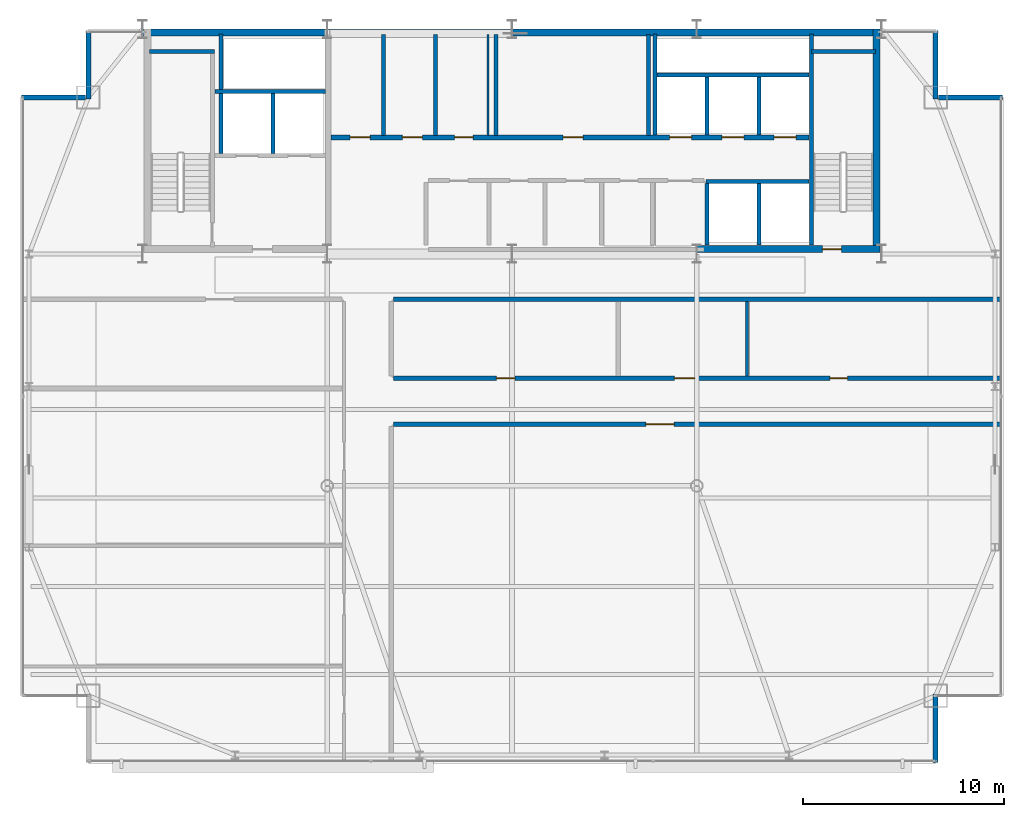
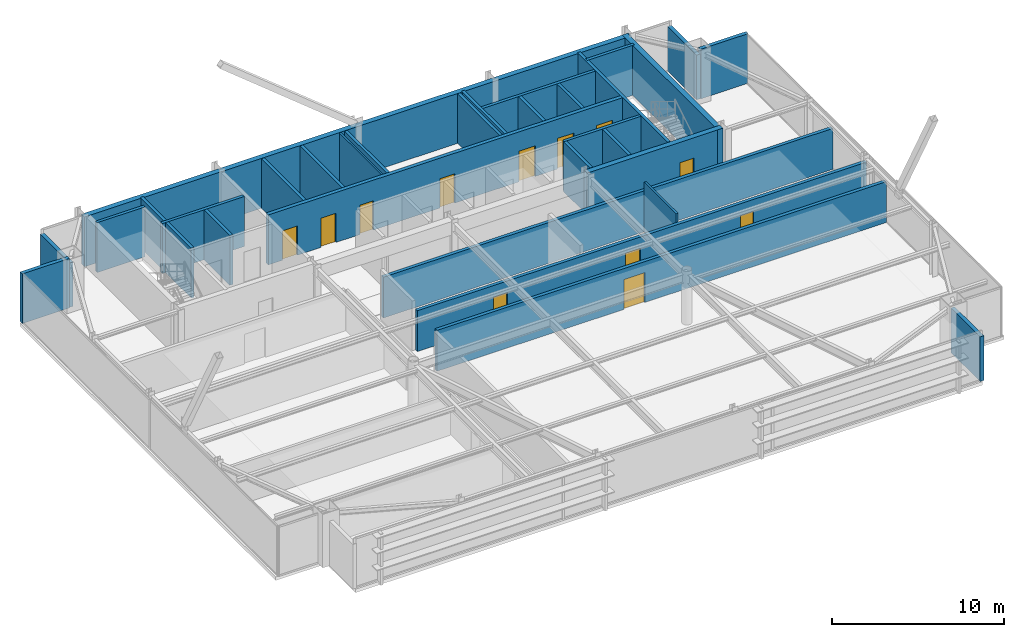
# One storey, part 24 of 26: 31 walls, 12 doors, 12 openings.
"""IFC4 building model written with IfcOpenShell, lengths in metres."""

from ifc_helpers import new_model, si_unit, direction, frame, frame_2d, origin, place, context, subcontext, project, spatial, rectangle, extrude, source, transform, mapped, material, layer, layer_set, type_object, type_shapes, element, fill, save


model = new_model("IFC4")

# Units and contexts
model_context = context("Model", 3, precision=1e-05, world=origin(), true_north=direction((0.0, 1.0)))
body_context = subcontext(model_context, "Body", "Model", "MODEL_VIEW")
ifc_project = project(units=[si_unit("LENGTHUNIT", "METRE"), si_unit("AREAUNIT", "SQUARE_METRE"), si_unit("VOLUMEUNIT", "CUBIC_METRE"), si_unit("PLANEANGLEUNIT", "RADIAN"), si_unit("MASSUNIT", "GRAM", prefix="KILO")], contexts=[model_context])

# Site, building, storey
site_placement = place(None, origin())
site = spatial("IfcSite", under=ifc_project, at=site_placement, CompositionType="ELEMENT")
building_placement = place(site_placement, origin())
building = spatial("IfcBuilding", under=site, at=building_placement, Name="Varnel Quay Broadcast Tower", CompositionType="ELEMENT")
storey_placement = place(building_placement, frame((0.0, 0.0, 218.800048828125)))
storey = spatial("IfcBuildingStorey", under=building, at=storey_placement, Name="L54", CompositionType="ELEMENT", Elevation=218.800048828125)

# Walls
ifc_material_1 = material(Name="Concrete CSA A23.3 C50/60", Category="concrete")
ifc_layer_1 = layer(ifc_material_1, 0.199951171875, Name="Concrete CSA A23.3 C50/60")
ifc_layer_set_1 = layer_set([ifc_layer_1], Name="Concrete CSA A23.3 C50/60")
wall_type_1 = type_object("IfcWallType", Name="Wall_CoreShaftShear200", PredefinedType="SHEAR", material=ifc_layer_set_1)
wall_1_placement = place(storey_placement, frame((15.949951171875, 45.679931640625, 0.0), z_axis=(0.0, 0.0, 1.0), x_axis=(1.0, 0.0, 0.0)))
element("IfcWall", 1, at=wall_1_placement, inside=storey, type_object=wall_type_1, Name="L54 Stair 1 North Structural Wall", PredefinedType="SHEAR", context=body_context, shape_type="SweptSolid", body=[
    extrude(rectangle(XDim=3.22998046875, YDim=0.199951171875, at=frame_2d((1.614990234375, 0.0))), origin(), (0.0, 0.0, 1.0), 3.550048828125),
])
wall_2_placement = place(storey_placement, frame((19.199951171875, 43.699951171875, 0.0), z_axis=(0.0, 0.0, 1.0), x_axis=(1.0, 0.0, 0.0)))
element("IfcWall", 2, at=wall_2_placement, inside=storey, type_object=wall_type_1, Name="L54 Firefighter Lift Shaft Rear Wall", PredefinedType="SHEAR", context=body_context, shape_type="SweptSolid", body=[
    extrude(rectangle(XDim=5.52001953125, YDim=0.199951171875, at=frame_2d((2.760009765625, 0.0))), origin(), (0.0, 0.0, 1.0), 3.550048828125),
])
wall_3_placement = place(storey_placement, frame((22.10009765625, 40.60009765625, 0.0), z_axis=(0.0, 0.0, 1.0), x_axis=(0.0, 1.0, 0.0)))
element("IfcWall", 3, at=wall_3_placement, inside=storey, type_object=wall_type_1, Name="L54 Firefighter Lift Shaft Divider", PredefinedType="SHEAR", context=body_context, shape_type="SweptSolid", body=[
    extrude(rectangle(XDim=3.0, YDim=0.199951171875, at=frame_2d((1.5, 0.0))), origin(), (0.0, 0.0, 1.0), 3.550048828125),
])
wall_4_placement = place(storey_placement, frame((19.5, 40.60009765625, 0.0), z_axis=(0.0, 0.0, 1.0), x_axis=(0.0, 1.0, 0.0)))
element("IfcWall", 4, at=wall_4_placement, inside=storey, type_object=wall_type_1, Name="L54 Firefighter Lift Shaft West Wall", PredefinedType="SHEAR", context=body_context, shape_type="SweptSolid", body=[
    extrude(rectangle(XDim=5.949951171875, YDim=0.199951171875, at=frame_2d((2.97509765625, 0.0))), origin(), (0.0, 0.0, 1.0), 3.550048828125),
])
wall_5_placement = place(storey_placement, frame((48.919921875, 36.050048828125, 0.0), z_axis=(0.0, 0.0, 1.0), x_axis=(0.0, 1.0, 0.0)))
element("IfcWall", 5, at=wall_5_placement, inside=storey, type_object=wall_type_1, Name="L54 Stair 2 West Structural Wall", PredefinedType="SHEAR", context=body_context, shape_type="SweptSolid", body=[
    extrude(rectangle(XDim=10.5, YDim=0.199951171875, at=frame_2d((5.25, 0.0))), origin(), (0.0, 0.0, 1.0), 3.550048828125),
])
wall_6_placement = place(storey_placement, frame((48.919921875, 45.679931640625, 0.0), z_axis=(0.0, 0.0, 1.0), x_axis=(1.0, 0.0, 0.0)))
element("IfcWall", 6, at=wall_6_placement, inside=storey, type_object=wall_type_1, Name="L54 Stair 2 North Structural Wall", PredefinedType="SHEAR", context=body_context, shape_type="SweptSolid", body=[
    extrude(rectangle(XDim=3.18017578125, YDim=0.199951171875, at=frame_2d((1.590087890625, 0.0))), origin(), (0.0, 0.0, 1.0), 3.550048828125),
])
wall_7_placement = place(storey_placement, frame((41.219970703125, 44.5, 0.0), z_axis=(0.0, 0.0, 1.0), x_axis=(1.0, 0.0, 0.0)))
element("IfcWall", 7, at=wall_7_placement, inside=storey, type_object=wall_type_1, Name="L54 High-Rise Lift Shaft Rear Wall", PredefinedType="SHEAR", context=body_context, shape_type="SweptSolid", body=[
    extrude(rectangle(XDim=7.580078125, YDim=0.199951171875, at=frame_2d((3.7900390625, 0.0))), origin(), (0.0, 0.0, 1.0), 3.550048828125),
])
wall_8_placement = place(storey_placement, frame((41.1201171875, 41.530029296875, 0.0), z_axis=(0.0, 0.0, 1.0), x_axis=(0.0, 1.0, 0.0)))
element("IfcWall", 8, at=wall_8_placement, inside=storey, type_object=wall_type_1, Name="L54 High-Rise Lift Shaft Divider 1", PredefinedType="SHEAR", context=body_context, shape_type="SweptSolid", body=[
    extrude(rectangle(XDim=5.02001953125, YDim=0.199951171875, at=frame_2d((2.510009765625, 0.0))), origin(), (0.0, 0.0, 1.0), 3.550048828125),
])
for number, where, z_axis, x_axis, name in (
    (9, (43.699951171875, 41.530029296875, 0.0), (0.0, 0.0, 1.0), (0.0, 1.0, 0.0), "L54 High-Rise Lift Shaft Divider 2"),
    (10, (46.300048828125, 41.530029296875, 0.0), (0.0, 0.0, 1.0), (0.0, 1.0, 0.0), "L54 High-Rise Lift Shaft Divider 3"),
):
    element("IfcWall", number, at=place(storey_placement, frame(where, z_axis=z_axis, x_axis=x_axis)), inside=storey, type_object=wall_type_1, Name=name, PredefinedType="SHEAR", context=body_context, shape_type="SweptSolid", body=[
        extrude(rectangle(XDim=2.869873046875, YDim=0.199951171875, at=frame_2d((1.43505859375, 0.0))), origin(), (0.0, 0.0, 1.0), 3.550048828125),
    ])
for number, where, z_axis, x_axis, name in (
    (11, (43.699951171875, 36.050048828125, 0.0), (0.0, 0.0, 1.0), (0.0, 1.0, 0.0), "L54 Express Lift Shaft West Wall"),
    (12, (46.300048828125, 36.050048828125, 0.0), (0.0, 0.0, 1.0), (0.0, 1.0, 0.0), "L54 Express Lift Shaft Divider"),
):
    element("IfcWall", number, at=place(storey_placement, frame(where, z_axis=z_axis, x_axis=x_axis)), inside=storey, type_object=wall_type_1, Name=name, PredefinedType="SHEAR", context=body_context, shape_type="SweptSolid", body=[
        extrude(rectangle(XDim=3.050048828125, YDim=0.199951171875, at=frame_2d((1.52490234375, 0.0))), origin(), (0.0, 0.0, 1.0), 3.550048828125),
    ])
wall_9_placement = place(storey_placement, frame((43.64990234375, 39.199951171875, 0.0), z_axis=(0.0, 0.0, 1.0), x_axis=(1.0, 0.0, 0.0)))
element("IfcWall", 13, at=wall_9_placement, inside=storey, type_object=wall_type_1, Name="L54 Express Lift Shaft North Front Wall", PredefinedType="SHEAR", context=body_context, shape_type="SweptSolid", body=[
    extrude(rectangle(XDim=5.150146484375, YDim=0.199951171875, at=frame_2d((2.5751953125, 0.0))), origin(), (0.0, 0.0, 1.0), 3.550048828125),
])

# Wall, openings, doors
ifc_layer_2 = layer(ifc_material_1, 0.25, Name="Concrete CSA A23.3 C50/60")
ifc_layer_set_2 = layer_set([ifc_layer_2], Name="Concrete CSA A23.3 C50/60")
wall_type_2 = type_object("IfcWallType", Name="Wall_CoreShaftShear250", PredefinedType="SHEAR", material=ifc_layer_set_2)
wall_10_placement = place(storey_placement, frame((24.97998046875, 41.39990234375, 0.0), z_axis=(0.0, 0.0, 1.0), x_axis=(1.0, 0.0, 0.0)))
wall_10 = element("IfcWall", 14, at=wall_10_placement, inside=storey, type_object=wall_type_2, Name="L54 North Lift Bank & Reclaimed Suite Wall", PredefinedType="SHEAR", context=body_context, shape_type="SweptSolid", body=[
    extrude(rectangle(XDim=23.820068359375, YDim=0.25, at=frame_2d((11.91015625, 0.0))), origin(), (0.0, 0.0, 1.0), 3.550048828125),
])
opening_1_placement = place(wall_10_placement, frame((16.8701171875, 0.0, 0.0)))
opening_1 = element("IfcOpeningElement", 15, at=opening_1_placement, cuts=wall_10, Name="Opening LD-L54-PH-01", PredefinedType="OPENING", context=body_context, shape_type="SweptSolid", body=[
    extrude(rectangle(XDim=1.10009765625, YDim=2.179931640625, at=frame_2d((0.550048828125, 1.08984375))), frame((0.0, 0.135009765625, 0.0), z_axis=(0.0, -1.0, 0.0), x_axis=(1.0, 0.0, 0.0)), (0.0, 0.0, 1.0), 0.27001953125),
])
opening_2_placement = place(wall_10_placement, frame((19.469970703125, 0.0, 0.0)))
opening_2 = element("IfcOpeningElement", 16, at=opening_2_placement, cuts=wall_10, Name="Opening LD-L54-PH-02", PredefinedType="OPENING", context=body_context, shape_type="SweptSolid", body=[
    extrude(rectangle(XDim=1.10009765625, YDim=2.179931640625, at=frame_2d((0.550048828125, 1.08984375))), frame((0.0, 0.135009765625, 0.0), z_axis=(0.0, -1.0, 0.0), x_axis=(1.0, 0.0, 0.0)), (0.0, 0.0, 1.0), 0.27001953125),
])
opening_3_placement = place(wall_10_placement, frame((22.070068359375, 0.0, 0.0)))
opening_3 = element("IfcOpeningElement", 17, at=opening_3_placement, cuts=wall_10, Name="Opening LD-L54-PH-03", PredefinedType="OPENING", context=body_context, shape_type="SweptSolid", body=[
    extrude(rectangle(XDim=1.10009765625, YDim=2.179931640625, at=frame_2d((0.550048828125, 1.08984375))), frame((0.0, 0.135009765625, 0.0), z_axis=(0.0, -1.0, 0.0), x_axis=(1.0, 0.0, 0.0)), (0.0, 0.0, 1.0), 0.27001953125),
])
opening_4_placement = place(wall_10_placement, frame((0.9599609375, 0.0, 0.0)))
opening_4 = element("IfcOpeningElement", 18, at=opening_4_placement, cuts=wall_10, Name="Opening D-L54-RECA1", PredefinedType="OPENING", context=body_context, shape_type="SweptSolid", body=[
    extrude(rectangle(XDim=1.0, YDim=2.080078125, at=frame_2d((0.5, 1.0400390625))), frame((0.0, 0.135009765625, 0.0), z_axis=(0.0, -1.0, 0.0), x_axis=(1.0, 0.0, 0.0)), (0.0, 0.0, 1.0), 0.27001953125),
])
opening_5_placement = place(wall_10_placement, frame((3.56005859375, 0.0, 0.0)))
opening_5 = element("IfcOpeningElement", 19, at=opening_5_placement, cuts=wall_10, Name="Opening D-L54-RECA2", PredefinedType="OPENING", context=body_context, shape_type="SweptSolid", body=[
    extrude(rectangle(XDim=1.0, YDim=2.080078125, at=frame_2d((0.5, 1.0400390625))), frame((0.0, 0.135009765625, 0.0), z_axis=(0.0, -1.0, 0.0), x_axis=(1.0, 0.0, 0.0)), (0.0, 0.0, 1.0), 0.27001953125),
])
opening_6_placement = place(wall_10_placement, frame((6.159912109375, 0.0, 0.0)))
opening_6 = element("IfcOpeningElement", 20, at=opening_6_placement, cuts=wall_10, Name="Opening D-L54-RECA3", PredefinedType="OPENING", context=body_context, shape_type="SweptSolid", body=[
    extrude(rectangle(XDim=0.919921875, YDim=2.080078125, at=frame_2d((0.4599609375, 1.0400390625))), frame((0.0, 0.135009765625, 0.0), z_axis=(0.0, -1.0, 0.0), x_axis=(1.0, 0.0, 0.0)), (0.0, 0.0, 1.0), 0.27001953125),
])
opening_7_placement = place(wall_10_placement, frame((11.56005859375, 0.0, 0.0)))
opening_7 = element("IfcOpeningElement", 21, at=opening_7_placement, cuts=wall_10, Name="Opening D-L54-RECB1", PredefinedType="OPENING", context=body_context, shape_type="SweptSolid", body=[
    extrude(rectangle(XDim=1.0, YDim=2.080078125, at=frame_2d((0.5, 1.0400390625))), frame((0.0, 0.135009765625, 0.0), z_axis=(0.0, -1.0, 0.0), x_axis=(1.0, 0.0, 0.0)), (0.0, 0.0, 1.0), 0.27001953125),
])
ifc_material_2 = material(Name="Brushed Bronze-Stainless Lift Car & Sliding Doors", Category="steel")
door_type_1 = type_object("IfcDoorType", Name="Door_LiftLanding1100", OperationType="SLIDING_TO_LEFT", PredefinedType="DOOR", material=ifc_material_2)
shared_shape_1 = source(origin(), body_context, "Body", "SweptSolid", [
    extrude(rectangle(XDim=1.10009765625, YDim=2.179931640625, at=frame_2d((0.550048828125, 1.08984375))), frame((0.0, 0.02490234375, 0.0), z_axis=(0.0, -1.0, 0.0), x_axis=(1.0, 0.0, 0.0)), (0.0, 0.0, 1.0), 0.050048828125),
])
type_shapes(door_type_1, [shared_shape_1])
door_1_placement = place(opening_1_placement, frame((1.10009765625, 0.0, 0.0), z_axis=(0.0, 0.0, 1.0), x_axis=(-1.0, 0.0, 0.0)))
door_1 = element("IfcDoor", 22, at=door_1_placement, inside=storey, type_object=door_type_1, Name="L54 Lift PH-01 Landing Door", OperationType="SLIDING_TO_LEFT", OverallHeight=2.179931640625, OverallWidth=1.10009765625, PredefinedType="DOOR", context=body_context, shape_type="MappedRepresentation", body=[
    mapped(shared_shape_1, transform((0.0, 0.0, 0.0), x_axis=(1.0, 0.0, 0.0), y_axis=(0.0, 1.0, 0.0), z_axis=(0.0, 0.0, 1.0), scale=1.0)),
])
fill(opening_1, door_1)
door_2_placement = place(opening_2_placement, frame((1.10009765625, 0.0, 0.0), z_axis=(0.0, 0.0, 1.0), x_axis=(-1.0, 0.0, 0.0)))
door_2 = element("IfcDoor", 23, at=door_2_placement, inside=storey, type_object=door_type_1, Name="L54 Lift PH-02 Landing Door", OperationType="SLIDING_TO_LEFT", OverallHeight=2.179931640625, OverallWidth=1.10009765625, PredefinedType="DOOR", context=body_context, shape_type="MappedRepresentation", body=[
    mapped(shared_shape_1, transform((0.0, 0.0, 0.0), x_axis=(1.0, 0.0, 0.0), y_axis=(0.0, 1.0, 0.0), z_axis=(0.0, 0.0, 1.0), scale=1.0)),
])
fill(opening_2, door_2)
door_3_placement = place(opening_3_placement, frame((1.10009765625, 0.0, 0.0), z_axis=(0.0, 0.0, 1.0), x_axis=(-1.0, 0.0, 0.0)))
door_3 = element("IfcDoor", 24, at=door_3_placement, inside=storey, type_object=door_type_1, Name="L54 Lift PH-03 Landing Door", OperationType="SLIDING_TO_LEFT", OverallHeight=2.179931640625, OverallWidth=1.10009765625, PredefinedType="DOOR", context=body_context, shape_type="MappedRepresentation", body=[
    mapped(shared_shape_1, transform((0.0, 0.0, 0.0), x_axis=(1.0, 0.0, 0.0), y_axis=(0.0, 1.0, 0.0), z_axis=(0.0, 0.0, 1.0), scale=1.0)),
])
fill(opening_3, door_3)
ifc_material_3 = material(Name="Insulated Fire-Rated Hollow Steel Door", Category="steel")
door_type_2 = type_object("IfcDoorType", Name="Door_FireLobby1000", OperationType="NOTDEFINED", PredefinedType="DOOR", material=ifc_material_3)
shared_shape_2 = source(origin(), body_context, "Body", "SweptSolid", [
    extrude(rectangle(XDim=1.0, YDim=2.080078125, at=frame_2d((0.5, 1.0400390625))), frame((0.0, 0.02490234375, 0.0), z_axis=(0.0, -1.0, 0.0), x_axis=(1.0, 0.0, 0.0)), (0.0, 0.0, 1.0), 0.050048828125),
])
type_shapes(door_type_2, [shared_shape_2])
door_4_placement = place(opening_4_placement, origin())
door_4 = element("IfcDoor", 25, at=door_4_placement, inside=storey, type_object=door_type_2, Name="L54 Ingest Rack Bay A Door", OperationType="SINGLE_SWING_LEFT", OverallHeight=2.080078125, OverallWidth=1.0, PredefinedType="DOOR", context=body_context, shape_type="MappedRepresentation", body=[
    mapped(shared_shape_2, transform((0.0, 0.0, 0.0), x_axis=(1.0, 0.0, 0.0), y_axis=(0.0, 1.0, 0.0), z_axis=(0.0, 0.0, 1.0), scale=1.0)),
])
fill(opening_4, door_4)
door_5_placement = place(opening_5_placement, origin())
door_5 = element("IfcDoor", 26, at=door_5_placement, inside=storey, type_object=door_type_2, Name="L54 Fiber Patch Bay Door", OperationType="SINGLE_SWING_RIGHT", OverallHeight=2.080078125, OverallWidth=1.0, PredefinedType="DOOR", context=body_context, shape_type="MappedRepresentation", body=[
    mapped(shared_shape_2, transform((0.0, 0.0, 0.0), x_axis=(1.0, 0.0, 0.0), y_axis=(0.0, 1.0, 0.0), z_axis=(0.0, 0.0, 1.0), scale=1.0)),
])
fill(opening_5, door_5)
door_6_placement = place(opening_7_placement, origin())
door_6 = element("IfcDoor", 27, at=door_6_placement, inside=storey, type_object=door_type_2, Name="L54 High-Zone Broadcast Rack Hall Door", OperationType="SINGLE_SWING_RIGHT", OverallHeight=2.080078125, OverallWidth=1.0, PredefinedType="DOOR", context=body_context, shape_type="MappedRepresentation", body=[
    mapped(shared_shape_2, transform((0.0, 0.0, 0.0), x_axis=(1.0, 0.0, 0.0), y_axis=(0.0, 1.0, 0.0), z_axis=(0.0, 0.0, 1.0), scale=1.0)),
])
fill(opening_7, door_6)
ifc_material_4 = material(Name="Solid-Core Fire-Rated Acoustic Oak Veneer Door", Category="wood")
door_type_3 = type_object("IfcDoorType", Name="Door_Office920", OperationType="NOTDEFINED", PredefinedType="DOOR", material=ifc_material_4)
shared_shape_3 = source(origin(), body_context, "Body", "SweptSolid", [
    extrude(rectangle(XDim=0.919921875, YDim=2.080078125, at=frame_2d((0.4599609375, 1.0400390625))), frame((0.0, 0.02490234375, 0.0), z_axis=(0.0, -1.0, 0.0), x_axis=(1.0, 0.0, 0.0)), (0.0, 0.0, 1.0), 0.050048828125),
])
type_shapes(door_type_3, [shared_shape_3])
door_7_placement = place(opening_6_placement, origin())
door_7 = element("IfcDoor", 28, at=door_7_placement, inside=storey, type_object=door_type_3, Name="L54 Telemetry Store Door", OperationType="SINGLE_SWING_LEFT", OverallHeight=2.080078125, OverallWidth=0.919921875, PredefinedType="DOOR", context=body_context, shape_type="MappedRepresentation", body=[
    mapped(shared_shape_3, transform((0.0, 0.0, 0.0), x_axis=(1.0, 0.0, 0.0), y_axis=(0.0, 1.0, 0.0), z_axis=(0.0, 0.0, 1.0), scale=1.0)),
])
fill(opening_6, door_7)

# Walls
ifc_layer_3 = layer(ifc_material_1, 0.35009765625, Name="Concrete CSA A23.3 C50/60")
ifc_layer_set_3 = layer_set([ifc_layer_3], Name="Concrete CSA A23.3 C50/60")
wall_type_3 = type_object("IfcWallType", Name="Wall_CoreShearExt350", PredefinedType="SHEAR", material=ifc_layer_set_3)
wall_11_placement = place(storey_placement, frame((15.60009765625, 46.625, 0.0), z_axis=(0.0, 0.0, 1.0), x_axis=(1.0, 0.0, 0.0)))
element("IfcWall", 29, at=wall_11_placement, inside=storey, type_object=wall_type_3, Name="L54 North Core Shear Wall", PredefinedType="SHEAR", context=body_context, shape_type="SweptSolid", body=[
    extrude(rectangle(XDim=36.7998046875, YDim=0.35009765625, at=frame_2d((18.39990234375, 0.0))), origin(), (0.0, 0.0, 1.0), 3.550048828125),
])
ifc_layer_4 = layer(ifc_material_1, 0.35009765625, Name="Concrete CSA A23.3 C50/60")
ifc_layer_set_4 = layer_set([ifc_layer_4], Name="Concrete CSA A23.3 C50/60")
wall_type_4 = type_object("IfcWallType", Name="Wall_CoreShearInt350", PredefinedType="SHEAR", material=ifc_layer_set_4)
wall_12_placement = place(storey_placement, frame((52.155029296875, 35.669921875, 0.0), z_axis=(0.0, 0.0, 1.0), x_axis=(0.0, 1.0, 0.0)))
element("IfcWall", 30, at=wall_12_placement, inside=storey, type_object=wall_type_4, Name="L54 East Core Shear Wall", PredefinedType="SHEAR", context=body_context, shape_type="SweptSolid", body=[
    extrude(rectangle(XDim=11.130126953125, YDim=0.35009765625, at=frame_2d((5.56494140625, 0.0))), origin(), (0.0, 0.0, 1.0), 3.550048828125),
])

# Wall, opening, door
wall_13_placement = place(storey_placement, frame((43.199951171875, 35.844970703125, 0.0), z_axis=(0.0, 0.0, 1.0), x_axis=(1.0, 0.0, 0.0)))
wall_13 = element("IfcWall", 31, at=wall_13_placement, inside=storey, type_object=wall_type_4, Name="L54 South-East Core Shear Wall", PredefinedType="SHEAR", context=body_context, shape_type="SweptSolid", body=[
    extrude(rectangle(XDim=9.130126953125, YDim=0.35009765625, at=frame_2d((4.56494140625, 0.0))), origin(), (0.0, 0.0, 1.0), 3.550048828125),
])
opening_8_placement = place(wall_13_placement, frame((6.25, 0.0, 0.0)))
opening_8 = element("IfcOpeningElement", 32, at=opening_8_placement, cuts=wall_13, Name="Opening D-L54-S2", PredefinedType="OPENING", context=body_context, shape_type="SweptSolid", body=[
    extrude(rectangle(XDim=0.949951171875, YDim=2.10009765625, at=frame_2d((0.47509765625, 1.050048828125))), frame((0.0, 0.18505859375, 0.0), z_axis=(0.0, -1.0, 0.0), x_axis=(1.0, 0.0, 0.0)), (0.0, 0.0, 1.0), 0.3701171875),
])
door_type_4 = type_object("IfcDoorType", Name="Door_FireStair950", OperationType="NOTDEFINED", PredefinedType="DOOR", material=ifc_material_3)
shared_shape_4 = source(origin(), body_context, "Body", "SweptSolid", [
    extrude(rectangle(XDim=0.949951171875, YDim=2.10009765625, at=frame_2d((0.47509765625, 1.050048828125))), frame((0.0, 0.02490234375, 0.0), z_axis=(0.0, -1.0, 0.0), x_axis=(1.0, 0.0, 0.0)), (0.0, 0.0, 1.0), 0.050048828125),
])
type_shapes(door_type_4, [shared_shape_4])
door_8_placement = place(opening_8_placement, origin())
door_8 = element("IfcDoor", 33, at=door_8_placement, inside=storey, type_object=door_type_4, Name="L54 Stair 2 Fire Door", OperationType="SINGLE_SWING_RIGHT", OverallHeight=2.10009765625, OverallWidth=0.949951171875, PredefinedType="DOOR", context=body_context, shape_type="MappedRepresentation", body=[
    mapped(shared_shape_4, transform((0.0, 0.0, 0.0), x_axis=(1.0, 0.0, 0.0), y_axis=(0.0, 1.0, 0.0), z_axis=(0.0, 0.0, 1.0), scale=1.0)),
])
fill(opening_8, door_8)

# Walls
ifc_material_5 = material(Name="Precast Architectural Concrete C40/50", Category="concrete")
ifc_layer_5 = layer(ifc_material_5, 0.25, Name="Precast Architectural Concrete C40/50")
ifc_layer_set_5 = layer_set([ifc_layer_5], Name="Precast Architectural Concrete C40/50")
wall_type_5 = type_object("IfcWallType", Name="Wall_ExtTerrace250", PredefinedType="SOLIDWALL", material=ifc_layer_set_5)
wall_14_placement = place(storey_placement, frame((55.10009765625, 10.280029296875, 0.0), z_axis=(0.0, 0.0, 1.0), x_axis=(0.0, 1.0, 0.0)))
element("IfcWall", 34, at=wall_14_placement, inside=storey, type_object=wall_type_5, Name="L54 Mega-Column Notch Cladding Wall NSE2", PredefinedType="SOLIDWALL", context=body_context, shape_type="SweptSolid", body=[
    extrude(rectangle(XDim=3.39990234375, YDim=0.25, at=frame_2d((1.699951171875, 0.0))), origin(), (0.0, 0.0, 1.0), 3.1708984375),
])
wall_15_placement = place(storey_placement, frame((9.580078125, 43.39990234375, 0.0), z_axis=(0.0, 0.0, 1.0), x_axis=(1.0, 0.0, 0.0)))
element("IfcWall", 35, at=wall_15_placement, inside=storey, type_object=wall_type_5, Name="L54 Mega-Column Notch Cladding Wall NNW1", PredefinedType="SOLIDWALL", context=body_context, shape_type="SweptSolid", body=[
    extrude(rectangle(XDim=3.18994140625, YDim=0.25, at=frame_2d((1.594970703125, 0.0))), origin(), (0.0, 0.0, 1.0), 3.530029296875),
])
wall_16_placement = place(storey_placement, frame((12.89990234375, 43.320068359375, 0.0), z_axis=(0.0, 0.0, 1.0), x_axis=(0.0, 1.0, 0.0)))
element("IfcWall", 36, at=wall_16_placement, inside=storey, type_object=wall_type_5, Name="L54 Mega-Column Notch Cladding Wall NNW2", PredefinedType="SOLIDWALL", context=body_context, shape_type="SweptSolid", body=[
    extrude(rectangle(XDim=3.39990234375, YDim=0.25, at=frame_2d((1.699951171875, 0.0))), origin(), (0.0, 0.0, 1.0), 3.1708984375),
])
wall_17_placement = place(storey_placement, frame((55.22998046875, 43.39990234375, 0.0), z_axis=(0.0, 0.0, 1.0), x_axis=(1.0, 0.0, 0.0)))
element("IfcWall", 37, at=wall_17_placement, inside=storey, type_object=wall_type_5, Name="L54 Mega-Column Notch Cladding Wall NNE1", PredefinedType="SOLIDWALL", context=body_context, shape_type="SweptSolid", body=[
    extrude(rectangle(XDim=3.18994140625, YDim=0.25, at=frame_2d((1.594970703125, 0.0))), origin(), (0.0, 0.0, 1.0), 3.530029296875),
])
wall_18_placement = place(storey_placement, frame((55.10009765625, 43.320068359375, 0.0), z_axis=(0.0, 0.0, 1.0), x_axis=(0.0, 1.0, 0.0)))
element("IfcWall", 38, at=wall_18_placement, inside=storey, type_object=wall_type_5, Name="L54 Mega-Column Notch Cladding Wall NNE2", PredefinedType="SOLIDWALL", context=body_context, shape_type="SweptSolid", body=[
    extrude(rectangle(XDim=3.39990234375, YDim=0.25, at=frame_2d((1.699951171875, 0.0))), origin(), (0.0, 0.0, 1.0), 3.1708984375),
])
ifc_material_6 = material(Name="Concrete Blockwork Fire Enclosure C40/50", Category="masonry")
ifc_layer_6 = layer(ifc_material_6, 0.199951171875, Name="Concrete Blockwork Fire Enclosure C40/50")
ifc_layer_set_6 = layer_set([ifc_layer_6], Name="Concrete Blockwork Fire Enclosure C40/50")
wall_type_6 = type_object("IfcWallType", Name="Wall_FireShaft200", PredefinedType="SOLIDWALL", material=ifc_layer_set_6)
for number, where, z_axis, x_axis, name in (
    (39, (27.60009765625, 41.5, 0.0), (0.0, 0.0, 1.0), (0.0, 1.0, 0.0), "L54 Ingest Rack Bay A Partition 20"),
    (40, (30.199951171875, 41.5, 0.0), (0.0, 0.0, 1.0), (0.0, 1.0, 0.0), "L54 Fiber Patch Bay Partition 21"),
    (41, (40.800048828125, 41.5, 0.0), (0.0, 0.0, 1.0), (0.0, 1.0, 0.0), "L54 High-Zone Broadcast Rack Hall Partition 23"),
    (42, (33.199951171875, 41.5, 0.0), (0.0, 0.0, 1.0), (0.0, 1.0, 0.0), "L54 High-Zone Broadcast Rack Hall Partition 24"),
):
    element("IfcWall", number, at=place(storey_placement, frame(where, z_axis=z_axis, x_axis=x_axis)), inside=storey, type_object=wall_type_6, Name=name, PredefinedType="SOLIDWALL", context=body_context, shape_type="SweptSolid", body=[
        extrude(rectangle(XDim=5.02001953125, YDim=0.199951171875, at=frame_2d((2.510009765625, 0.0))), origin(), (0.0, 0.0, 1.0), 3.530029296875),
    ])
ifc_material_7 = material(Name="Steel-Stud Fire-Rated Acoustic Gypsum Partition Assembly", Category="steel")
ifc_layer_7 = layer(ifc_material_7, 0.10498046875, Name="Steel-Stud Fire-Rated Acoustic Gypsum Partition Assembly")
ifc_layer_set_7 = layer_set([ifc_layer_7], Name="Steel-Stud Fire-Rated Acoustic Gypsum Partition Assembly")
wall_type_7 = type_object("IfcWallType", Name="Wall_Partition105", PredefinedType="PARTITIONING", material=ifc_layer_set_7)
wall_19_placement = place(storey_placement, frame((32.800048828125, 41.5, 0.0), z_axis=(0.0, 0.0, 1.0), x_axis=(0.0, 1.0, 0.0)))
element("IfcWall", 43, at=wall_19_placement, inside=storey, type_object=wall_type_7, Name="L54 Telemetry Store Partition 22", PredefinedType="PARTITIONING", context=body_context, shape_type="SweptSolid", body=[
    extrude(rectangle(XDim=5.02001953125, YDim=0.10498046875, at=frame_2d((2.510009765625, 0.0))), origin(), (0.0, 0.0, 1.0), 3.530029296875),
])
ifc_layer_8 = layer(ifc_material_7, 0.139892578125, Name="Steel-Stud Fire-Rated Acoustic Gypsum Partition Assembly")
ifc_layer_set_8 = layer_set([ifc_layer_8], Name="Steel-Stud Fire-Rated Acoustic Gypsum Partition Assembly")
wall_type_8 = type_object("IfcWallType", Name="Wall_Partition140", PredefinedType="PARTITIONING", material=ifc_layer_set_8)
wall_20_placement = place(storey_placement, frame((45.699951171875, 29.52294921875, 0.0), z_axis=(0.0, 0.0, 1.0), x_axis=(0.0, 1.0, 0.0)))
element("IfcWall", 44, at=wall_20_placement, inside=storey, type_object=wall_type_8, Name="L54 Talent Lounge 7 Partition 19", PredefinedType="PARTITIONING", context=body_context, shape_type="SweptSolid", body=[
    extrude(rectangle(XDim=3.715087890625, YDim=0.139892578125, at=frame_2d((1.857421875, 0.0))), origin(), (0.0, 0.0, 1.0), 3.530029296875),
])

# Wall, opening, door
ifc_layer_9 = layer(ifc_material_7, 0.22509765625, Name="Steel-Stud Fire-Rated Acoustic Gypsum Partition Assembly")
ifc_layer_set_9 = layer_set([ifc_layer_9], Name="Steel-Stud Fire-Rated Acoustic Gypsum Partition Assembly")
wall_type_9 = type_object("IfcWallType", Name="Wall_Partition225", PredefinedType="PARTITIONING", material=ifc_layer_set_9)
wall_21_placement = place(storey_placement, frame((28.090087890625, 27.110107421875, 0.0), z_axis=(0.0, 0.0, 1.0), x_axis=(1.0, 0.0, 0.0)))
wall_21 = element("IfcWall", 45, at=wall_21_placement, inside=storey, type_object=wall_type_9, Name="L54 Voice Booth 5 Partition 13", PredefinedType="PARTITIONING", context=body_context, shape_type="SweptSolid", body=[
    extrude(rectangle(XDim=30.22998046875, YDim=0.22509765625, at=frame_2d((15.114990234375, 0.0))), origin(), (0.0, 0.0, 1.0), 2.907958984375),
])
opening_9_placement = place(wall_21_placement, frame((12.580078125, 0.0, 0.0)))
opening_9 = element("IfcOpeningElement", 46, at=opening_9_placement, cuts=wall_21, Name="Opening D-L54-10", PredefinedType="OPENING", context=body_context, shape_type="SweptSolid", body=[
    extrude(rectangle(XDim=1.39990234375, YDim=2.1201171875, at=frame_2d((0.699951171875, 1.06005859375))), frame((0.0, 0.12255859375, 0.0), z_axis=(0.0, -1.0, 0.0), x_axis=(1.0, 0.0, 0.0)), (0.0, 0.0, 1.0), 0.2451171875),
])
door_type_5 = type_object("IfcDoorType", Name="Door_Gallery1400", OperationType="DOUBLE_DOOR_SINGLE_SWING", PredefinedType="DOOR", material=ifc_material_4)
shared_shape_5 = source(origin(), body_context, "Body", "SweptSolid", [
    extrude(rectangle(XDim=1.39990234375, YDim=2.1201171875, at=frame_2d((0.699951171875, 1.06005859375))), frame((0.0, 0.02490234375, 0.0), z_axis=(0.0, -1.0, 0.0), x_axis=(1.0, 0.0, 0.0)), (0.0, 0.0, 1.0), 0.050048828125),
])
type_shapes(door_type_5, [shared_shape_5])
door_9_placement = place(opening_9_placement, frame((1.39990234375, 0.0, 0.0), z_axis=(0.0, 0.0, 1.0), x_axis=(-1.0, 0.0, 0.0)))
door_9 = element("IfcDoor", 47, at=door_9_placement, inside=storey, type_object=door_type_5, Name="L54 Voice Booth 5 Door D-L54-10", OperationType="DOUBLE_DOOR_SINGLE_SWING", OverallHeight=2.1201171875, OverallWidth=1.39990234375, PredefinedType="DOOR", context=body_context, shape_type="MappedRepresentation", body=[
    mapped(shared_shape_5, transform((0.0, 0.0, 0.0), x_axis=(1.0, 0.0, 0.0), y_axis=(0.0, 1.0, 0.0), z_axis=(0.0, 0.0, 1.0), scale=1.0)),
])
fill(opening_9, door_9)

# Wall, openings, doors
wall_22_placement = place(storey_placement, frame((28.090087890625, 29.409912109375, 0.0), z_axis=(0.0, 0.0, 1.0), x_axis=(1.0, 0.0, 0.0)))
wall_22 = element("IfcWall", 48, at=wall_22_placement, inside=storey, type_object=wall_type_9, Name="L54 Audio Control Room 6 Partition 15", PredefinedType="PARTITIONING", context=body_context, shape_type="SweptSolid", body=[
    extrude(rectangle(XDim=30.22998046875, YDim=0.22509765625, at=frame_2d((15.114990234375, 0.0))), origin(), (0.0, 0.0, 1.0), 2.907958984375),
])
opening_10_placement = place(wall_22_placement, frame((5.135009765625, 0.0, 0.0)))
opening_10 = element("IfcOpeningElement", 49, at=opening_10_placement, cuts=wall_22, Name="Opening D-L54-11", PredefinedType="OPENING", context=body_context, shape_type="SweptSolid", body=[
    extrude(rectangle(XDim=0.919921875, YDim=2.080078125, at=frame_2d((0.4599609375, 1.0400390625))), frame((0.0, 0.12255859375, 0.0), z_axis=(0.0, -1.0, 0.0), x_axis=(1.0, 0.0, 0.0)), (0.0, 0.0, 1.0), 0.2451171875),
])
opening_11_placement = place(wall_22_placement, frame((14.0, 0.0, 0.0)))
opening_11 = element("IfcOpeningElement", 50, at=opening_11_placement, cuts=wall_22, Name="Opening D-L54-12", PredefinedType="OPENING", context=body_context, shape_type="SweptSolid", body=[
    extrude(rectangle(XDim=1.0, YDim=2.10009765625, at=frame_2d((0.5, 1.050048828125))), frame((0.0, 0.12255859375, 0.0), z_axis=(0.0, -1.0, 0.0), x_axis=(1.0, 0.0, 0.0)), (0.0, 0.0, 1.0), 0.2451171875),
])
opening_12_placement = place(wall_22_placement, frame((21.7451171875, 0.0, 0.0)))
opening_12 = element("IfcOpeningElement", 51, at=opening_12_placement, cuts=wall_22, Name="Opening D-L54-13", PredefinedType="OPENING", context=body_context, shape_type="SweptSolid", body=[
    extrude(rectangle(XDim=0.8798828125, YDim=2.06005859375, at=frame_2d((0.43994140625, 1.030029296875))), frame((0.0, 0.12255859375, 0.0), z_axis=(0.0, -1.0, 0.0), x_axis=(1.0, 0.0, 0.0)), (0.0, 0.0, 1.0), 0.2451171875),
])
door_type_6 = type_object("IfcDoorType", Name="Door_Booth880", OperationType="NOTDEFINED", PredefinedType="DOOR", material=ifc_material_4)
shared_shape_6 = source(origin(), body_context, "Body", "SweptSolid", [
    extrude(rectangle(XDim=0.8798828125, YDim=2.06005859375, at=frame_2d((0.43994140625, 1.030029296875))), frame((0.0, 0.02490234375, 0.0), z_axis=(0.0, -1.0, 0.0), x_axis=(1.0, 0.0, 0.0)), (0.0, 0.0, 1.0), 0.050048828125),
])
type_shapes(door_type_6, [shared_shape_6])
door_10_placement = place(opening_12_placement, origin())
door_10 = element("IfcDoor", 52, at=door_10_placement, inside=storey, type_object=door_type_6, Name="L54 Pantry Niche 8 Door D-L54-13", OperationType="SINGLE_SWING_RIGHT", OverallHeight=2.06005859375, OverallWidth=0.8798828125, PredefinedType="DOOR", context=body_context, shape_type="MappedRepresentation", body=[
    mapped(shared_shape_6, transform((0.0, 0.0, 0.0), x_axis=(1.0, 0.0, 0.0), y_axis=(0.0, 1.0, 0.0), z_axis=(0.0, 0.0, 1.0), scale=1.0)),
])
fill(opening_12, door_10)
door_11_placement = place(opening_10_placement, origin())
door_11 = element("IfcDoor", 53, at=door_11_placement, inside=storey, type_object=door_type_3, Name="L54 Audio Control Room 6 Door D-L54-11", OperationType="SINGLE_SWING_RIGHT", OverallHeight=2.080078125, OverallWidth=0.919921875, PredefinedType="DOOR", context=body_context, shape_type="MappedRepresentation", body=[
    mapped(shared_shape_3, transform((0.0, 0.0, 0.0), x_axis=(1.0, 0.0, 0.0), y_axis=(0.0, 1.0, 0.0), z_axis=(0.0, 0.0, 1.0), scale=1.0)),
])
fill(opening_10, door_11)
door_type_7 = type_object("IfcDoorType", Name="Door_Exec1000", OperationType="NOTDEFINED", PredefinedType="DOOR", material=ifc_material_4)
shared_shape_7 = source(origin(), body_context, "Body", "SweptSolid", [
    extrude(rectangle(XDim=1.0, YDim=2.10009765625, at=frame_2d((0.5, 1.050048828125))), frame((0.0, 0.02490234375, 0.0), z_axis=(0.0, -1.0, 0.0), x_axis=(1.0, 0.0, 0.0)), (0.0, 0.0, 1.0), 0.050048828125),
])
type_shapes(door_type_7, [shared_shape_7])
door_12_placement = place(opening_11_placement, origin())
door_12 = element("IfcDoor", 54, at=door_12_placement, inside=storey, type_object=door_type_7, Name="L54 Talent Lounge 7 Door D-L54-12", OperationType="SINGLE_SWING_LEFT", OverallHeight=2.10009765625, OverallWidth=1.0, PredefinedType="DOOR", context=body_context, shape_type="MappedRepresentation", body=[
    mapped(shared_shape_7, transform((0.0, 0.0, 0.0), x_axis=(1.0, 0.0, 0.0), y_axis=(0.0, 1.0, 0.0), z_axis=(0.0, 0.0, 1.0), scale=1.0)),
])
fill(opening_11, door_12)

# Wall
wall_23_placement = place(storey_placement, frame((28.090087890625, 33.35009765625, 0.0), z_axis=(0.0, 0.0, 1.0), x_axis=(1.0, 0.0, 0.0)))
element("IfcWall", 55, at=wall_23_placement, inside=storey, type_object=wall_type_9, Name="L54 Audio Control Room 6 Partition 17", PredefinedType="PARTITIONING", context=body_context, shape_type="SweptSolid", body=[
    extrude(rectangle(XDim=30.22998046875, YDim=0.22509765625, at=frame_2d((15.114990234375, 0.0))), origin(), (0.0, 0.0, 1.0), 2.907958984375),
])

save(model, "model.ifc")
